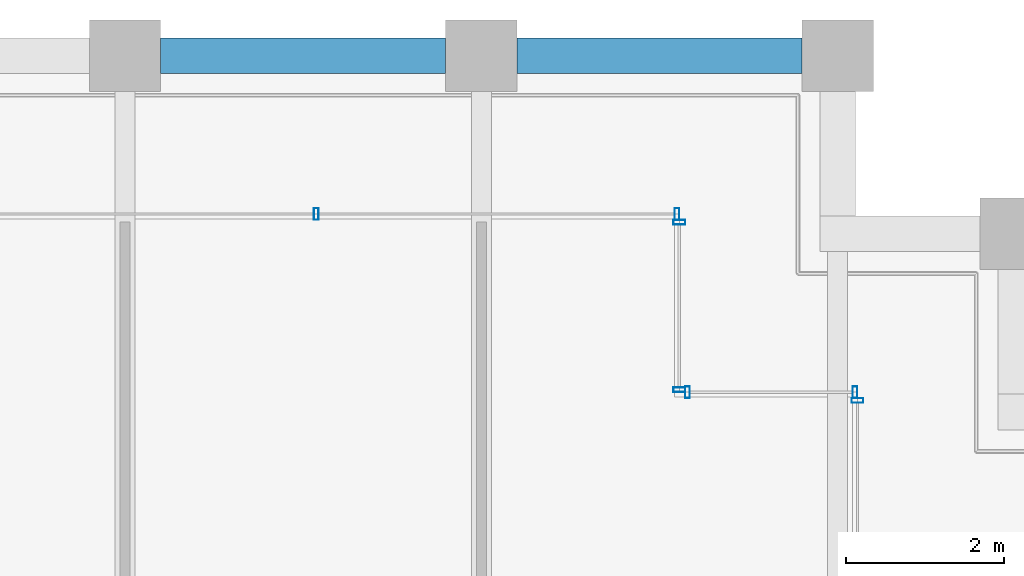
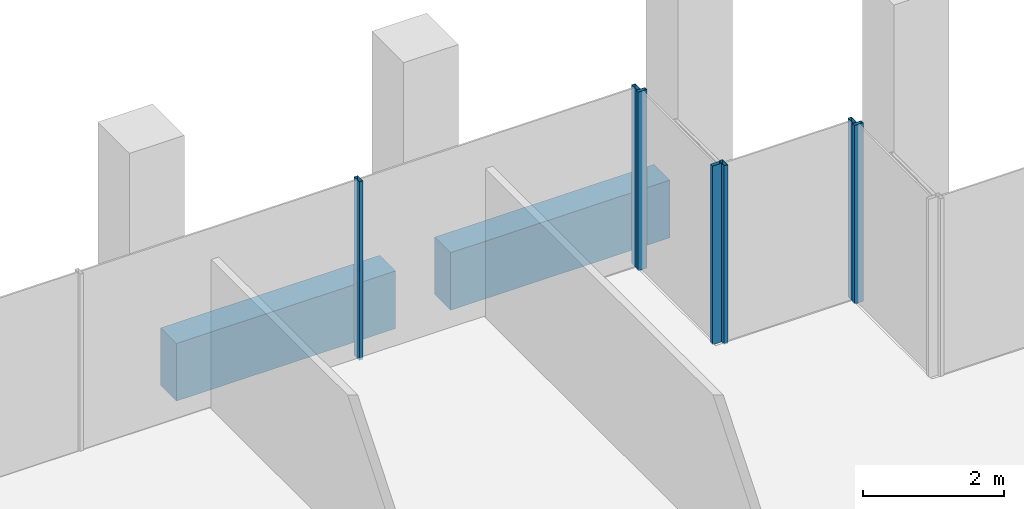
# One storey, part 26 of 40: 7 members, 2 beams, 4 elements without a shape of their own.
"""IFC4 building model written with IfcOpenShell, lengths in metres."""

from ifc_helpers import new_model, si_unit, direction, frame, origin, origin_2d, place, context, subcontext, project, spatial, rectangle, hollow_rectangle, extrude, material, material_profile, profile_set, type_object, element, aggregate, save


model = new_model("IFC4")

# Units and contexts
model_context = context("Model", 3, precision=1e-05, world=origin(), true_north=direction((0.0, 1.0)))
body_context = subcontext(model_context, "Body", "Model", "MODEL_VIEW")
ifc_project = project(units=[si_unit("LENGTHUNIT", "METRE"), si_unit("AREAUNIT", "SQUARE_METRE"), si_unit("VOLUMEUNIT", "CUBIC_METRE"), si_unit("PLANEANGLEUNIT", "RADIAN"), si_unit("MASSUNIT", "GRAM", prefix="KILO")], contexts=[model_context])

# Site, building, storey
site_placement = place(None, origin())
site = spatial("IfcSite", under=ifc_project, at=site_placement, CompositionType="ELEMENT")
building_placement = place(site_placement, origin())
building = spatial("IfcBuilding", under=site, at=building_placement, Name="Altepetl Exchange Towers", CompositionType="ELEMENT")
storey_placement = place(building_placement, frame((0.0, 0.0, 187.0)))
storey = spatial("IfcBuildingStorey", under=building, at=storey_placement, Name="L47", CompositionType="ELEMENT", Elevation=187.0)

# Curtain wall, member
ifc_material_1 = material(Name="Aluminium 6063-T6 glazing", Category="aluminium")
curtain_wall_type = type_object("IfcCurtainWallType", Name="Loggia glazing system", PredefinedType="NOTDEFINED", material=ifc_material_1)
curtain_wall_1_placement = place(storey_placement, origin())
curtain_wall_1 = element("IfcCurtainWall", 1, at=curtain_wall_1_placement, inside=storey, type_object=curtain_wall_type, Name="CW1 run", PredefinedType="NOTDEFINED")
ifc_material_2 = material(Name="Aluminium 6063-T6", Category="aluminium")
ifc_material_profile_1 = material_profile(ifc_material_2, hollow_rectangle(XDim=0.06005859375, YDim=0.14990234375, WallThickness=0.0029296875, at=origin_2d()), Name="Mullion 60x150 aluminium")
ifc_profile_set_1 = profile_set([ifc_material_profile_1], Name="Aluminium 6063-T6")
member_type = type_object("IfcMemberType", Name="Mullion 60x150 aluminium", PredefinedType="MULLION", material=ifc_profile_set_1)
member_1_placement = place(storey_placement, frame((67.75, 67.64501953125, 0.0), z_axis=(0.0, 0.0, 1.0), x_axis=(0.0, 1.0, 0.0)))
member_1 = element("IfcMember", 2, at=member_1_placement, type_object=member_type, Name="MU1 mullion", PredefinedType="MULLION", context=body_context, shape_type="SweptSolid", body=[
    extrude(hollow_rectangle(XDim=0.06005859375, YDim=0.14990234375, WallThickness=0.0029296875, at=origin_2d()), origin(), (0.0, 0.0, 1.0), 3.10009765625),
])
aggregate(curtain_wall_1, [member_1])

# Curtain wall, members
curtain_wall_2_placement = place(storey_placement, origin())
curtain_wall_2 = element("IfcCurtainWall", 3, at=curtain_wall_2_placement, inside=storey, type_object=curtain_wall_type, Name="CW1 run", PredefinedType="NOTDEFINED")
member_2_placement = place(storey_placement, frame((67.719970703125, 67.75, 0.0), z_axis=(0.0, 0.0, 1.0), x_axis=(-1.0, 0.0, 0.0)))
member_2 = element("IfcMember", 4, at=member_2_placement, type_object=member_type, Name="MU1 mullion", PredefinedType="MULLION", context=body_context, shape_type="SweptSolid", body=[
    extrude(hollow_rectangle(XDim=0.06005859375, YDim=0.14990234375, WallThickness=0.0029296875, at=origin_2d()), origin(), (0.0, 0.0, 1.0), 3.10009765625),
])
member_3_placement = place(storey_placement, frame((65.60498046875, 67.75, 0.0), z_axis=(0.0, 0.0, 1.0), x_axis=(-1.0, 0.0, 0.0)))
member_3 = element("IfcMember", 5, at=member_3_placement, type_object=member_type, Name="MU1 mullion", PredefinedType="MULLION", context=body_context, shape_type="SweptSolid", body=[
    extrude(hollow_rectangle(XDim=0.06005859375, YDim=0.14990234375, WallThickness=0.0029296875, at=origin_2d()), origin(), (0.0, 0.0, 1.0), 3.10009765625),
])
aggregate(curtain_wall_2, [member_2, member_3])

curtain_wall_3_placement = place(storey_placement, origin())
curtain_wall_3 = element("IfcCurtainWall", 6, at=curtain_wall_3_placement, inside=storey, type_object=curtain_wall_type, Name="CW1 run", PredefinedType="NOTDEFINED")
member_4_placement = place(storey_placement, frame((65.5, 67.780029296875, 0.0), z_axis=(0.0, 0.0, 1.0), x_axis=(0.0, 1.0, 0.0)))
member_4 = element("IfcMember", 7, at=member_4_placement, type_object=member_type, Name="MU1 mullion", PredefinedType="MULLION", context=body_context, shape_type="SweptSolid", body=[
    extrude(hollow_rectangle(XDim=0.06005859375, YDim=0.14990234375, WallThickness=0.0029296875, at=origin_2d()), origin(), (0.0, 0.0, 1.0), 3.10009765625),
])
member_5_placement = place(storey_placement, frame((65.5, 69.89501953125, 0.0), z_axis=(0.0, 0.0, 1.0), x_axis=(0.0, 1.0, 0.0)))
member_5 = element("IfcMember", 8, at=member_5_placement, type_object=member_type, Name="MU1 mullion", PredefinedType="MULLION", context=body_context, shape_type="SweptSolid", body=[
    extrude(hollow_rectangle(XDim=0.06005859375, YDim=0.14990234375, WallThickness=0.0029296875, at=origin_2d()), origin(), (0.0, 0.0, 1.0), 3.10009765625),
])
aggregate(curtain_wall_3, [member_4, member_5])

curtain_wall_4_placement = place(storey_placement, origin())
curtain_wall_4 = element("IfcCurtainWall", 9, at=curtain_wall_4_placement, inside=storey, type_object=curtain_wall_type, Name="CW1 run", PredefinedType="NOTDEFINED")
member_6_placement = place(storey_placement, frame((65.469970703125, 70.0, 0.0), z_axis=(0.0, 0.0, 1.0), x_axis=(-1.0, 0.0, 0.0)))
member_6 = element("IfcMember", 10, at=member_6_placement, type_object=member_type, Name="MU1 mullion", PredefinedType="MULLION", context=body_context, shape_type="SweptSolid", body=[
    extrude(hollow_rectangle(XDim=0.06005859375, YDim=0.14990234375, WallThickness=0.0029296875, at=origin_2d()), origin(), (0.0, 0.0, 1.0), 3.10009765625),
])
member_7_placement = place(storey_placement, frame((60.9150390625, 70.0, 0.0), z_axis=(0.0, 0.0, 1.0), x_axis=(-1.0, 0.0, 0.0)))
member_7 = element("IfcMember", 11, at=member_7_placement, type_object=member_type, Name="MU1 mullion", PredefinedType="MULLION", context=body_context, shape_type="SweptSolid", body=[
    extrude(hollow_rectangle(XDim=0.06005859375, YDim=0.14990234375, WallThickness=0.0029296875, at=origin_2d()), origin(), (0.0, 0.0, 1.0), 3.10009765625),
])
aggregate(curtain_wall_4, [member_6, member_7])

# Beams
ifc_material_3 = material(Name="Concrete C50/60 precast with cantera rosa facing", Category="concrete")
ifc_material_profile_2 = material_profile(ifc_material_3, rectangle(XDim=0.449951171875, YDim=1.0, at=origin_2d()), Name="450 x 1000")
ifc_profile_set_2 = profile_set([ifc_material_profile_2], Name="Concrete C50/60 precast with cantera rosa facing")
beam_type = type_object("IfcBeamType", Name="Spandrel beam 450x1000 cantera rosa", PredefinedType="SPANDREL", material=ifc_profile_set_2)
for number, where, z_axis, x_axis, name in (
    (12, (67.050048828125, 72.0, -0.64990234375), (-1.0, 0.0, 0.0), (0.0, -1.0, 0.0), "sp:A:L47:024"),
    (13, (62.550048828125, 72.0, -0.64990234375), (-1.0, 0.0, 0.0), (0.0, -1.0, 0.0), "sp:A:L47:025"),
):
    element("IfcBeam", number, at=place(storey_placement, frame(where, z_axis=z_axis, x_axis=x_axis)), inside=storey, type_object=beam_type, Name=name, PredefinedType="SPANDREL", context=body_context, shape_type="SweptSolid", body=[
        extrude(rectangle(XDim=0.449951171875, YDim=1.0, at=origin_2d()), origin(), (0.0, 0.0, 1.0), 3.60009765625),
    ])

save(model, "model.ifc")
